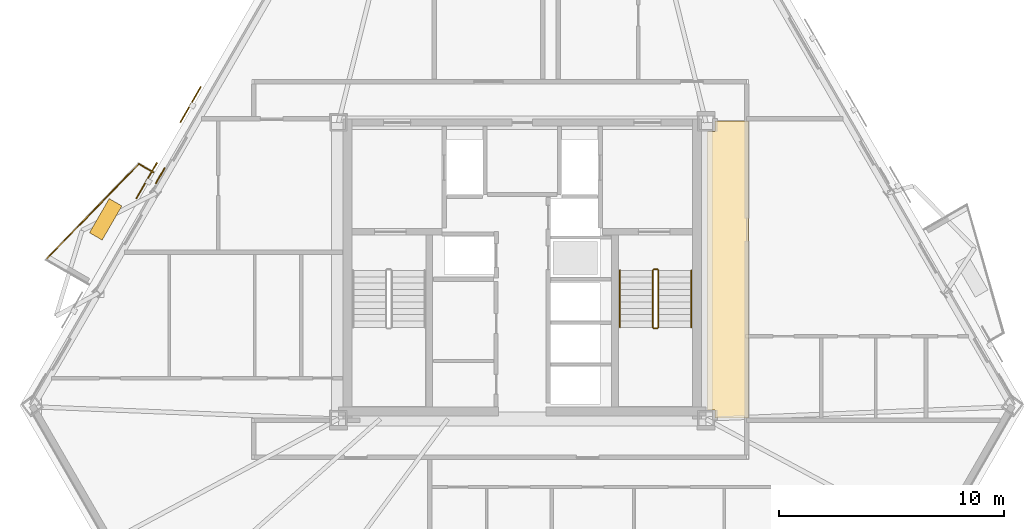
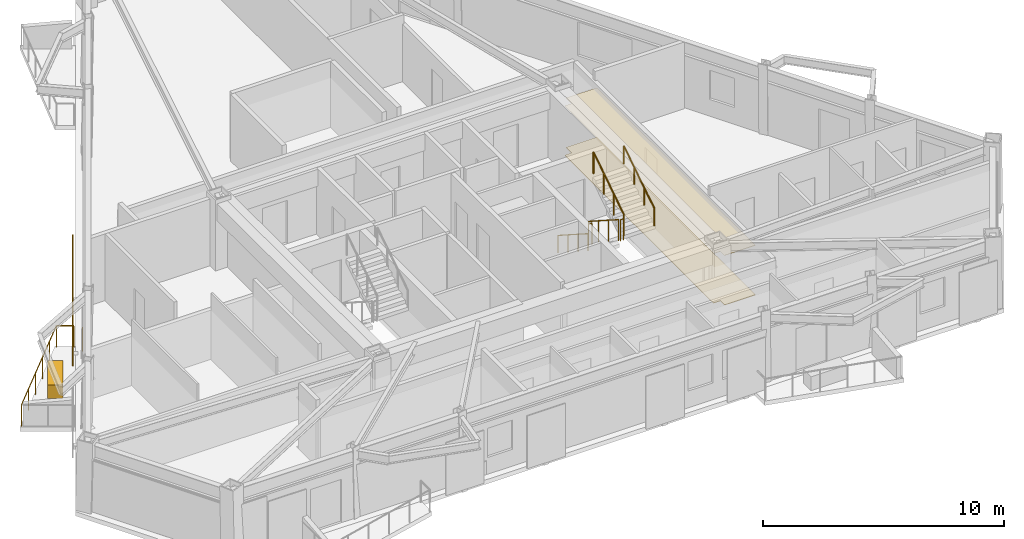
# One storey, part 8 of 10: 8 railings, 4 coverings, 2 shading devices.
"""IFC4 building model written with IfcOpenShell, lengths in metres."""

from ifc_helpers import new_model, si_unit, direction, frame, origin, origin_2d, place, context, subcontext, project, spatial, polyline, rectangle, circle, outline, extrude, material, layer, layer_set, type_object, element, save


model = new_model("IFC4")

# Units and contexts
model_context = context("Model", 3, precision=1e-05, world=origin(), true_north=direction((0.0, 1.0)))
body_context = subcontext(model_context, "Body", "Model", "MODEL_VIEW")
ifc_project = project(units=[si_unit("LENGTHUNIT", "METRE"), si_unit("AREAUNIT", "SQUARE_METRE"), si_unit("VOLUMEUNIT", "CUBIC_METRE"), si_unit("PLANEANGLEUNIT", "RADIAN"), si_unit("MASSUNIT", "GRAM", prefix="KILO")], contexts=[model_context])

# Site, building, storey
site_placement = place(None, origin())
site = spatial("IfcSite", under=ifc_project, at=site_placement, CompositionType="ELEMENT")
building_placement = place(site_placement, origin())
building = spatial("IfcBuilding", under=site, at=building_placement, Name="Oramaril Tower", CompositionType="ELEMENT")
storey_placement = place(building_placement, frame((0.0, 0.0, 209.10009765625)))
storey = spatial("IfcBuildingStorey", under=building, at=storey_placement, Name="L55", CompositionType="ELEMENT", Elevation=209.10009765625)

# Coverings
ifc_material_1 = material(Name="Mineral Fibre Acoustic Ceiling")
ifc_layer_1 = layer(ifc_material_1, 0.02001953125)
ifc_layer_set_1 = layer_set([ifc_layer_1], Name="CVT-CEIL")
covering_type_1 = type_object("IfcCoveringType", Name="CVT-CEIL", PredefinedType="CEILING", material=ifc_layer_set_1)
covering_1_placement = place(storey_placement, frame((0.0, 0.0, 2.511962890625)))
element("IfcCovering", 1, at=covering_1_placement, inside=storey, type_object=covering_type_1, Name="L55 Acoustic Suspended Ceiling 3", PredefinedType="CEILING", context=body_context, shape_type="SweptSolid", body=[
    extrude(outline(polyline([(47.530029296875, 11.050048828125), (46.044921875, 11.050048828125), (46.044921875, 11.39501953125), (45.719970703125, 11.39501953125), (45.719970703125, 23.7548828125), (46.044921875, 23.7548828125), (46.044921875, 24.219970703125), (47.530029296875, 24.219970703125), (47.530029296875, 11.050048828125)])), origin(), (0.0, 0.0, 1.0), 0.02001953125),
])
ifc_material_2 = material(Name="Warm Cream Limestone", Category="masonry")
ifc_layer_2 = layer(ifc_material_2, 0.050048828125)
ifc_layer_set_2 = layer_set([ifc_layer_2], Name="CVT-CLD")
covering_type_2 = type_object("IfcCoveringType", Name="CVT-CLD", PredefinedType="CLADDING", material=ifc_layer_set_2)
covering_2_placement = place(storey_placement, frame((21.443603515625, 21.790771484375, 0.0400390625), z_axis=(0.0, 0.0, 1.0), x_axis=(-0.500001511499, -0.866024531118, 0.0)))
element("IfcCovering", 2, at=covering_2_placement, inside=storey, type_object=covering_type_2, Name="L55 Warm Cream Limestone Spandrel Cladding", PredefinedType="CLADDING", context=body_context, shape_type="SweptSolid", body=[
    extrude(rectangle(XDim=0.800048828125, YDim=0.050048828125, at=origin_2d()), origin(), (0.0, 0.0, 1.0), 0.679931640625),
])
covering_3_placement = place(storey_placement, frame((19.023681640625, 19.856689453125, 0.0), z_axis=(0.0, 0.0, 1.0), x_axis=(-0.500001511499, -0.866024531118, 0.0)))
element("IfcCovering", 3, at=covering_3_placement, inside=storey, type_object=covering_type_2, Name="L55 Structural Tree Planter Box L55-BAL-NW2", PredefinedType="CLADDING", context=body_context, shape_type="SweptSolid", body=[
    extrude(rectangle(XDim=1.75, YDim=0.64990234375, at=origin_2d()), origin(), (0.0, 0.0, 1.0), 0.699951171875),
])
ifc_material_3 = material(Name="Honed Quartzite Stone Flooring", Category="masonry")
ifc_layer_3 = layer(ifc_material_3, 0.02490234375)
ifc_layer_set_3 = layer_set([ifc_layer_3], Name="CVT-FLR")
covering_type_3 = type_object("IfcCoveringType", Name="CVT-FLR", PredefinedType="FLOORING", material=ifc_layer_set_3)
covering_4_placement = place(storey_placement, origin())
element("IfcCovering", 4, at=covering_4_placement, inside=storey, type_object=covering_type_3, Name="L55 Honed Stone Floor Finish 3", PredefinedType="FLOORING", context=body_context, shape_type="SweptSolid", body=[
    extrude(outline(polyline([(47.530029296875, 11.050048828125), (46.044921875, 11.050048828125), (46.044921875, 11.39501953125), (45.719970703125, 11.39501953125), (45.719970703125, 23.7548828125), (46.044921875, 23.7548828125), (46.044921875, 24.219970703125), (47.530029296875, 24.219970703125), (47.530029296875, 11.050048828125)])), origin(), (0.0, 0.0, 1.0), 0.02490234375),
])

# Railings
ifc_material_4 = material(Name="Stainless Steel 316L", Category="steel")
railing_type_1 = type_object("IfcRailingType", Name="RLT-GRD", PredefinedType="GUARDRAIL", material=ifc_material_4)
railing_1_placement = place(storey_placement, frame((16.375732421875, 18.077392578125, 0.0)))
element("IfcRailing", 5, at=railing_1_placement, inside=storey, type_object=railing_type_1, Name="L55 Balcony Guardrail L55-BAL-NW2.2", PredefinedType="GUARDRAIL", context=body_context, shape_type="SweptSolid", body=[
    extrude(circle(Radius=0.02392578125, at=origin_2d()), frame((0.0, 0.0, 1.076171875), z_axis=(0.697207560153, 0.716869317285, 0.0), x_axis=(-0.716869317285, 0.697207560153, 0.0)), (0.0, 0.0, 1.0), 5.910400390625),
    extrude(circle(Radius=0.02099609375, at=origin_2d()), origin(), (0.0, 0.0, 1.0), 1.052001953125),
    extrude(circle(Radius=0.02099609375, at=origin_2d()), frame((0.82421875, 0.847412109375, 0.0)), (0.0, 0.0, 1.0), 1.052001953125),
    extrude(circle(Radius=0.02099609375, at=origin_2d()), frame((1.6484375, 1.69482421875, 0.0)), (0.0, 0.0, 1.0), 1.052001953125),
    extrude(circle(Radius=0.02099609375, at=origin_2d()), frame((2.472412109375, 2.542236328125, 0.0)), (0.0, 0.0, 1.0), 1.052001953125),
    extrude(circle(Radius=0.02099609375, at=origin_2d()), frame((3.296630859375, 3.3896484375, 0.0)), (0.0, 0.0, 1.0), 1.052001953125),
    extrude(circle(Radius=0.02099609375, at=origin_2d()), frame((4.120849609375, 4.237060546875, 0.0)), (0.0, 0.0, 1.0), 1.052001953125),
])
railing_2_placement = place(storey_placement, frame((20.49658203125, 22.314453125, 0.0)))
element("IfcRailing", 6, at=railing_2_placement, inside=storey, type_object=railing_type_1, Name="L55 Balcony Guardrail L55-BAL-NW2.3", PredefinedType="GUARDRAIL", context=body_context, shape_type="SweptSolid", body=[
    extrude(circle(Radius=0.02392578125, at=origin_2d()), frame((0.0, 0.0, 1.076171875), z_axis=(0.866108878364, -0.499855389907, 0.0), x_axis=(0.499855389907, 0.866108878364, 0.0)), (0.0, 0.0, 1.0), 0.741943359375),
    extrude(circle(Radius=0.02099609375, at=origin_2d()), origin(), (0.0, 0.0, 1.0), 1.052001953125),
    extrude(circle(Radius=0.02099609375, at=origin_2d()), frame((0.642578125, -0.370849609375, 0.0)), (0.0, 0.0, 1.0), 1.052001953125),
])
railing_3_placement = place(storey_placement, frame((43.2900390625, 17.590087890625, 0.179931640625)))
element("IfcRailing", 7, at=railing_3_placement, inside=storey, type_object=railing_type_1, Name="L55 ST-2 stair guard 1", PredefinedType="GUARDRAIL", context=body_context, shape_type="SweptSolid", body=[
    extrude(circle(Radius=0.02392578125, at=origin_2d()), frame((0.0, 0.0, 1.076171875), z_axis=(0.0, -0.841199657755, 0.540724639528), x_axis=(1.0, 0.0, 0.0)), (0.0, 0.0, 1.0), 2.995849609375),
    extrude(circle(Radius=0.02099609375, at=origin_2d()), origin(), (0.0, 0.0, 1.0), 1.052001953125),
    extrude(circle(Radius=0.02099609375, at=origin_2d()), frame((0.0, -0.840087890625, 0.5400390625)), (0.0, 0.0, 1.0), 1.052001953125),
    extrude(circle(Radius=0.02099609375, at=origin_2d()), frame((0.0, -1.679931640625, 1.079833984375)), (0.0, 0.0, 1.0), 1.052001953125),
    extrude(circle(Radius=0.02099609375, at=origin_2d()), frame((0.0, -2.52001953125, 1.619873046875)), (0.0, 0.0, 1.0), 1.052001953125),
])
railing_4_placement = place(storey_placement, frame((43.340087890625, 15.02001953125, 1.7998046875)))
element("IfcRailing", 8, at=railing_4_placement, inside=storey, type_object=railing_type_1, Name="L55 ST-2 stair guard 2", PredefinedType="GUARDRAIL", context=body_context, shape_type="SweptSolid", body=[
    extrude(circle(Radius=0.02392578125, at=origin_2d()), frame((0.0, 0.0, 1.076171875), z_axis=(1.0, 0.0, 0.0), x_axis=(0.0, 1.0, 0.0)), (0.0, 0.0, 1.0), 0.14990234375),
    extrude(circle(Radius=0.02099609375, at=origin_2d()), origin(), (0.0, 0.0, 1.0), 1.052001953125),
    extrude(circle(Radius=0.02099609375, at=origin_2d()), frame((0.14990234375, 0.0, 0.0)), (0.0, 0.0, 1.0), 1.052001953125),
])
railing_5_placement = place(storey_placement, frame((43.5400390625, 15.070068359375, 1.97998046875)))
element("IfcRailing", 9, at=railing_5_placement, inside=storey, type_object=railing_type_1, Name="L55 ST-2 stair guard 3", PredefinedType="GUARDRAIL", context=body_context, shape_type="SweptSolid", body=[
    extrude(circle(Radius=0.02392578125, at=origin_2d()), frame((0.0, 0.0, 1.076171875), z_axis=(0.0, 0.841199657755, 0.540724639528), x_axis=(-1.0, 0.0, 0.0)), (0.0, 0.0, 1.0), 2.995849609375),
    extrude(circle(Radius=0.02099609375, at=origin_2d()), origin(), (0.0, 0.0, 1.0), 1.052001953125),
    extrude(circle(Radius=0.02099609375, at=origin_2d()), frame((0.0, 0.840087890625, 0.5400390625)), (0.0, 0.0, 1.0), 1.052001953125),
    extrude(circle(Radius=0.02099609375, at=origin_2d()), frame((0.0, 1.679931640625, 1.079833984375)), (0.0, 0.0, 1.0), 1.052001953125),
    extrude(circle(Radius=0.02099609375, at=origin_2d()), frame((0.0, 2.52001953125, 1.619873046875)), (0.0, 0.0, 1.0), 1.052001953125),
])
railing_6_placement = place(storey_placement, frame((43.340087890625, 17.639892578125, 0.0)))
element("IfcRailing", 10, at=railing_6_placement, inside=storey, type_object=railing_type_1, Name="L55 ST-2 stair guard 4", PredefinedType="GUARDRAIL", context=body_context, shape_type="SweptSolid", body=[
    extrude(circle(Radius=0.02392578125, at=origin_2d()), frame((0.0, 0.0, 1.076171875), z_axis=(1.0, 0.0, 0.0), x_axis=(0.0, 1.0, 0.0)), (0.0, 0.0, 1.0), 0.14990234375),
    extrude(circle(Radius=0.02099609375, at=origin_2d()), origin(), (0.0, 0.0, 1.0), 1.052001953125),
    extrude(circle(Radius=0.02099609375, at=origin_2d()), frame((0.14990234375, 0.0, 0.0)), (0.0, 0.0, 1.0), 1.052001953125),
])
ifc_material_5 = material(Name="Stainless Steel 316L", Category="steel")
railing_type_2 = type_object("IfcRailingType", Name="RLT-HND", PredefinedType="HANDRAIL", material=ifc_material_5)
railing_7_placement = place(storey_placement, frame((41.830078125, 17.590087890625, 0.179931640625)))
element("IfcRailing", 11, at=railing_7_placement, inside=storey, type_object=railing_type_2, Name="L55 ST-2 stair handrail 1", PredefinedType="HANDRAIL", context=body_context, shape_type="SweptSolid", body=[
    extrude(circle(Radius=0.02392578125, at=origin_2d()), frame((0.0, 0.0, 0.8759765625), z_axis=(0.0, -0.841199657755, 0.540724639528), x_axis=(1.0, 0.0, 0.0)), (0.0, 0.0, 1.0), 2.995849609375),
    extrude(circle(Radius=0.02099609375, at=origin_2d()), origin(), (0.0, 0.0, 1.0), 0.851806640625),
    extrude(circle(Radius=0.02099609375, at=origin_2d()), frame((0.0, -0.840087890625, 0.5400390625)), (0.0, 0.0, 1.0), 0.851806640625),
    extrude(circle(Radius=0.02099609375, at=origin_2d()), frame((0.0, -1.679931640625, 1.079833984375)), (0.0, 0.0, 1.0), 0.851806640625),
    extrude(circle(Radius=0.02099609375, at=origin_2d()), frame((0.0, -2.52001953125, 1.619873046875)), (0.0, 0.0, 1.0), 0.851806640625),
])
railing_8_placement = place(storey_placement, frame((45.0, 15.070068359375, 1.97998046875)))
element("IfcRailing", 12, at=railing_8_placement, inside=storey, type_object=railing_type_2, Name="L55 ST-2 stair handrail 2", PredefinedType="HANDRAIL", context=body_context, shape_type="SweptSolid", body=[
    extrude(circle(Radius=0.02392578125, at=origin_2d()), frame((0.0, 0.0, 0.8759765625), z_axis=(0.0, 0.841199657755, 0.540724639528), x_axis=(-1.0, 0.0, 0.0)), (0.0, 0.0, 1.0), 2.995849609375),
    extrude(circle(Radius=0.02099609375, at=origin_2d()), origin(), (0.0, 0.0, 1.0), 0.851806640625),
    extrude(circle(Radius=0.02099609375, at=origin_2d()), frame((0.0, 0.840087890625, 0.5400390625)), (0.0, 0.0, 1.0), 0.851806640625),
    extrude(circle(Radius=0.02099609375, at=origin_2d()), frame((0.0, 1.679931640625, 1.079833984375)), (0.0, 0.0, 1.0), 0.851806640625),
    extrude(circle(Radius=0.02099609375, at=origin_2d()), frame((0.0, 2.52001953125, 1.619873046875)), (0.0, 0.0, 1.0), 0.851806640625),
])

# Shading devices
for number, where, z_axis, x_axis, name in (
    (13, (22.792236328125, 24.95068359375, -0.02001953125), (0.0, 0.0, 1.0), (-0.500001511499, -0.866024531118, 0.0), "L55 Perforated Ceramic Solar Screen"),
    (14, (20.84228515625, 21.5732421875, -0.02001953125), (0.0, 0.0, 1.0), (-0.500001511499, -0.866024531118, 0.0), "L55 Perforated Ceramic Solar Screen"),
):
    element("IfcShadingDevice", number, at=place(storey_placement, frame(where, z_axis=z_axis, x_axis=x_axis)), inside=storey, Name=name, ObjectType="SCREEN", PredefinedType="USERDEFINED", context=body_context, shape_type="SweptSolid", body=[
        extrude(rectangle(XDim=1.8330078125, YDim=0.050048828125, at=origin_2d()), origin(), (0.0, 0.0, 1.0), 2.677001953125),
    ])

save(model, "model.ifc")
